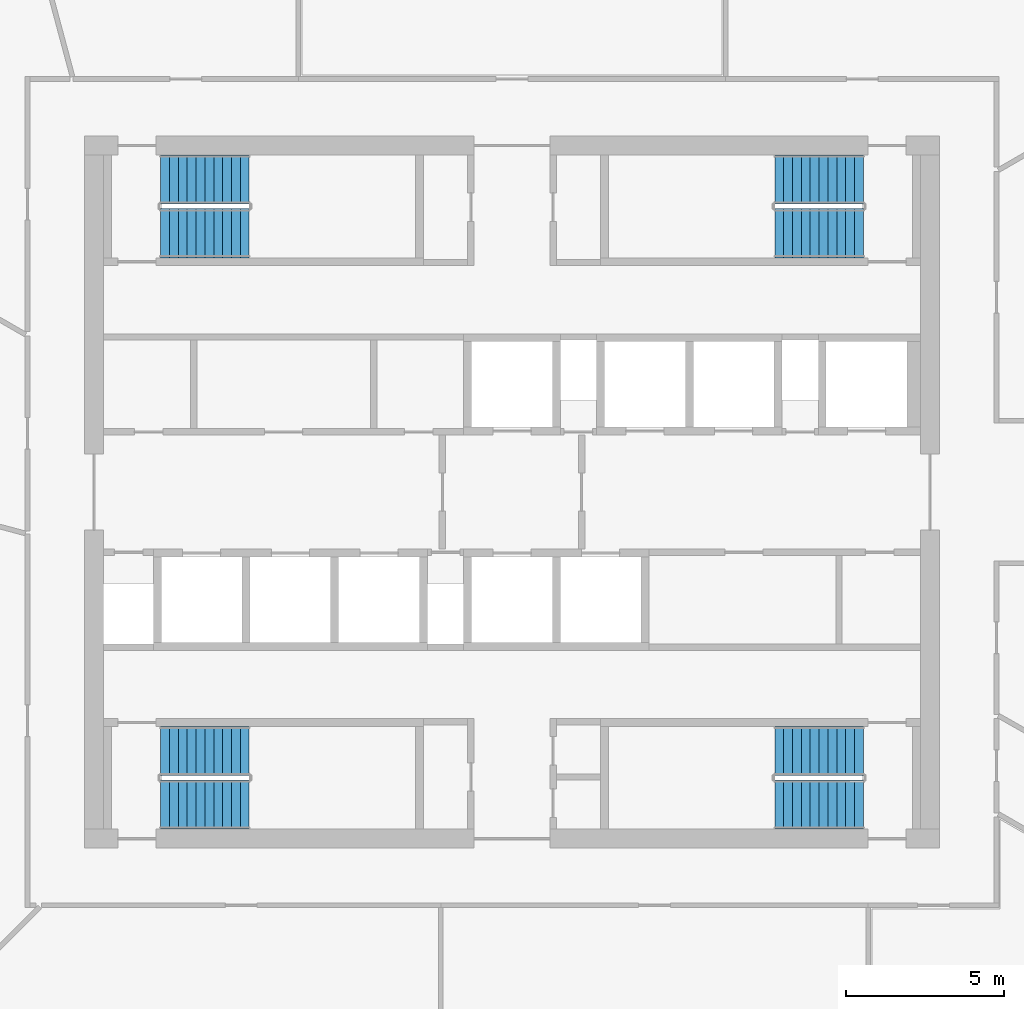
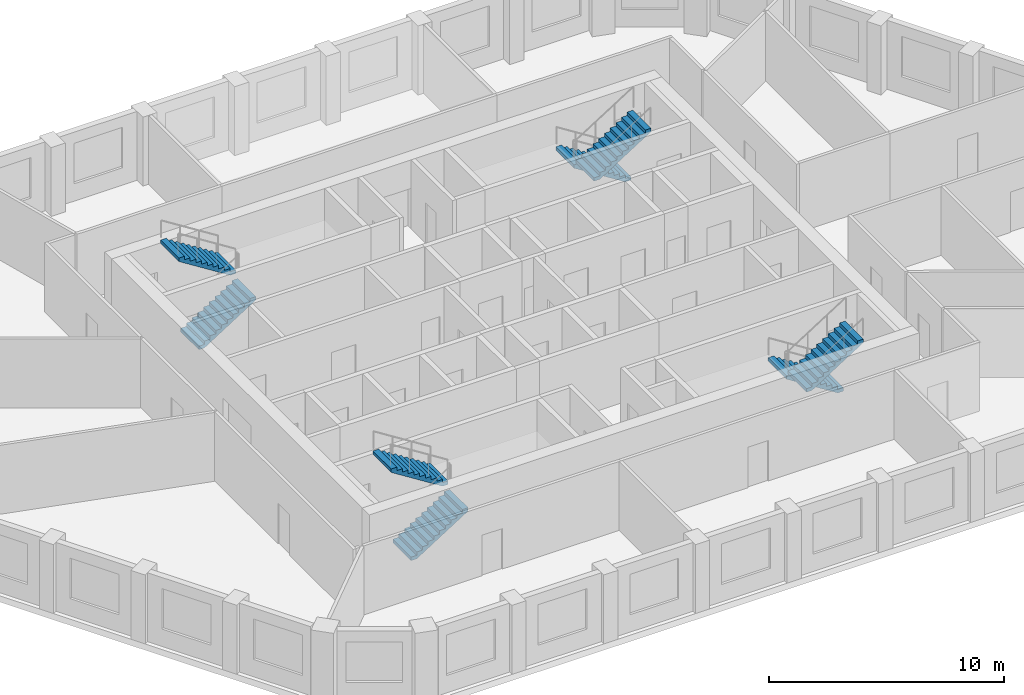
# One storey, part 7 of 10: 8 stair flights, 4 elements without a shape of their own.
"""IFC4 building model written with IfcOpenShell, lengths in metres."""

from ifc_helpers import new_model, si_unit, direction, frame, origin, place, context, subcontext, project, spatial, polyline, outline, extrude, material, type_object, element, aggregate, save


model = new_model("IFC4")

# Units and contexts
model_context = context("Model", 3, precision=1e-05, world=origin(), true_north=direction((0.0, 1.0)))
body_context = subcontext(model_context, "Body", "Model", "MODEL_VIEW")
ifc_project = project(units=[si_unit("LENGTHUNIT", "METRE"), si_unit("AREAUNIT", "SQUARE_METRE"), si_unit("VOLUMEUNIT", "CUBIC_METRE"), si_unit("PLANEANGLEUNIT", "RADIAN"), si_unit("MASSUNIT", "GRAM", prefix="KILO")], contexts=[model_context])

# Site, building, storey
site_placement = place(None, origin())
site = spatial("IfcSite", under=ifc_project, at=site_placement, CompositionType="ELEMENT")
building_placement = place(site_placement, origin())
building = spatial("IfcBuilding", under=site, at=building_placement, Name="Dhurran Vertical Campus", CompositionType="ELEMENT")
storey_placement = place(building_placement, frame((0.0, 0.0, 246.89990234375)))
storey = spatial("IfcBuildingStorey", under=building, at=storey_placement, Name="L61", CompositionType="ELEMENT", Elevation=246.89990234375)

# Stair, stair flights
ifc_material_1 = material(Name="Concrete C40/50", Category="concrete")
stair_type = type_object("IfcStairType", Name="co-ST-CORE", PredefinedType="HALF_TURN_STAIR", material=ifc_material_1)
stair_1_placement = place(storey_placement, origin())
stair_1 = element("IfcStair", 1, at=stair_1_placement, inside=storey, type_object=stair_type, Name="L61 Protected exit stair ST1", PredefinedType="HALF_TURN_STAIR")
ifc_material_2 = material(Name="Concrete C40/50", Category="concrete")
stair_flight_type = type_object("IfcStairFlightType", Name="co-SFL-RC", PredefinedType="STRAIGHT", material=ifc_material_2)
stair_flight_1_placement = place(storey_placement, frame((-11.10009765625, 8.175048828125, 0.0), z_axis=(0.0, 0.0, 1.0), x_axis=(1.0, 0.0, 0.0)))
stair_flight_1 = element("IfcStairFlight", 2, at=stair_flight_1_placement, type_object=stair_flight_type, Name="ST1 flight 1", NumberOfRisers=11, NumberOfTreads=10, PredefinedType="STRAIGHT", RiserHeight=0.177272727, TreadLength=0.28, context=body_context, shape_type="SweptSolid", body=[
    extrude(outline(polyline([(0.0, 0.0), (0.0, 0.17724609375), (0.280029296875, 0.17724609375), (0.280029296875, 0.3544921875), (0.56005859375, 0.3544921875), (0.56005859375, 0.53173828125), (0.840087890625, 0.53173828125), (0.840087890625, 0.708984375), (1.1201171875, 0.708984375), (1.1201171875, 0.886474609375), (1.39990234375, 0.886474609375), (1.39990234375, 1.063720703125), (1.679931640625, 1.063720703125), (1.679931640625, 1.240966796875), (1.9599609375, 1.240966796875), (1.9599609375, 1.418212890625), (2.239990234375, 1.418212890625), (2.239990234375, 1.595458984375), (2.52001953125, 1.595458984375), (2.52001953125, 1.772705078125), (2.800048828125, 1.772705078125), (2.800048828125, 1.949951171875), (2.800048828125, 1.59521484375), (0.2802734375, 0.0), (0.0, 0.0)])), frame((0.0, 0.77490234375, 0.0), z_axis=(0.0, -1.0, 0.0), x_axis=(1.0, 0.0, 0.0)), (0.0, 0.0, 1.0), 1.550048828125),
])
stair_flight_2_placement = place(storey_placement, frame((-8.300048828125, 9.875, 1.9501953125), z_axis=(0.0, 0.0, 1.0), x_axis=(-1.0, 0.0, 0.0)))
stair_flight_2 = element("IfcStairFlight", 3, at=stair_flight_2_placement, type_object=stair_flight_type, Name="ST1 flight 2", NumberOfRisers=11, NumberOfTreads=10, PredefinedType="STRAIGHT", RiserHeight=0.177272727, TreadLength=0.28, context=body_context, shape_type="SweptSolid", body=[
    extrude(outline(polyline([(0.0, 0.0), (0.0, 0.17724609375), (0.280029296875, 0.17724609375), (0.280029296875, 0.3544921875), (0.56005859375, 0.3544921875), (0.56005859375, 0.53173828125), (0.840087890625, 0.53173828125), (0.840087890625, 0.708984375), (1.1201171875, 0.708984375), (1.1201171875, 0.886474609375), (1.39990234375, 0.886474609375), (1.39990234375, 1.063720703125), (1.679931640625, 1.063720703125), (1.679931640625, 1.240966796875), (1.9599609375, 1.240966796875), (1.9599609375, 1.418212890625), (2.239990234375, 1.418212890625), (2.239990234375, 1.595458984375), (2.52001953125, 1.595458984375), (2.52001953125, 1.772705078125), (2.800048828125, 1.772705078125), (2.800048828125, 1.949951171875), (2.800048828125, 1.59521484375), (0.2802734375, 0.0), (0.0, 0.0)])), frame((0.0, 0.77490234375, 0.0), z_axis=(0.0, -1.0, 0.0), x_axis=(1.0, 0.0, 0.0)), (0.0, 0.0, 1.0), 1.550048828125),
])
aggregate(stair_1, [stair_flight_1, stair_flight_2])

stair_2_placement = place(storey_placement, origin())
stair_2 = element("IfcStair", 4, at=stair_2_placement, inside=storey, type_object=stair_type, Name="L61 Protected exit stair ST2", PredefinedType="HALF_TURN_STAIR")
stair_flight_3_placement = place(storey_placement, frame((11.10009765625, 9.875, 0.0), z_axis=(0.0, 0.0, 1.0), x_axis=(-1.0, 0.0, 0.0)))
stair_flight_3 = element("IfcStairFlight", 5, at=stair_flight_3_placement, type_object=stair_flight_type, Name="ST2 flight 1", NumberOfRisers=11, NumberOfTreads=10, PredefinedType="STRAIGHT", RiserHeight=0.177272727, TreadLength=0.28, context=body_context, shape_type="SweptSolid", body=[
    extrude(outline(polyline([(0.0, 0.0), (0.0, 0.17724609375), (0.280029296875, 0.17724609375), (0.280029296875, 0.3544921875), (0.56005859375, 0.3544921875), (0.56005859375, 0.53173828125), (0.840087890625, 0.53173828125), (0.840087890625, 0.708984375), (1.1201171875, 0.708984375), (1.1201171875, 0.886474609375), (1.39990234375, 0.886474609375), (1.39990234375, 1.063720703125), (1.679931640625, 1.063720703125), (1.679931640625, 1.240966796875), (1.9599609375, 1.240966796875), (1.9599609375, 1.418212890625), (2.239990234375, 1.418212890625), (2.239990234375, 1.595458984375), (2.52001953125, 1.595458984375), (2.52001953125, 1.772705078125), (2.800048828125, 1.772705078125), (2.800048828125, 1.949951171875), (2.800048828125, 1.59521484375), (0.2802734375, 0.0), (0.0, 0.0)])), frame((0.0, 0.77490234375, 0.0), z_axis=(0.0, -1.0, 0.0), x_axis=(1.0, 0.0, 0.0)), (0.0, 0.0, 1.0), 1.550048828125),
])
stair_flight_4_placement = place(storey_placement, frame((8.300048828125, 8.175048828125, 1.9501953125), z_axis=(0.0, 0.0, 1.0), x_axis=(1.0, 0.0, 0.0)))
stair_flight_4 = element("IfcStairFlight", 6, at=stair_flight_4_placement, type_object=stair_flight_type, Name="ST2 flight 2", NumberOfRisers=11, NumberOfTreads=10, PredefinedType="STRAIGHT", RiserHeight=0.177272727, TreadLength=0.28, context=body_context, shape_type="SweptSolid", body=[
    extrude(outline(polyline([(0.0, 0.0), (0.0, 0.17724609375), (0.280029296875, 0.17724609375), (0.280029296875, 0.3544921875), (0.56005859375, 0.3544921875), (0.56005859375, 0.53173828125), (0.840087890625, 0.53173828125), (0.840087890625, 0.708984375), (1.1201171875, 0.708984375), (1.1201171875, 0.886474609375), (1.39990234375, 0.886474609375), (1.39990234375, 1.063720703125), (1.679931640625, 1.063720703125), (1.679931640625, 1.240966796875), (1.9599609375, 1.240966796875), (1.9599609375, 1.418212890625), (2.239990234375, 1.418212890625), (2.239990234375, 1.595458984375), (2.52001953125, 1.595458984375), (2.52001953125, 1.772705078125), (2.800048828125, 1.772705078125), (2.800048828125, 1.949951171875), (2.800048828125, 1.59521484375), (0.2802734375, 0.0), (0.0, 0.0)])), frame((0.0, 0.77490234375, 0.0), z_axis=(0.0, -1.0, 0.0), x_axis=(1.0, 0.0, 0.0)), (0.0, 0.0, 1.0), 1.550048828125),
])
aggregate(stair_2, [stair_flight_3, stair_flight_4])

stair_3_placement = place(storey_placement, origin())
stair_3 = element("IfcStair", 7, at=stair_3_placement, inside=storey, type_object=stair_type, Name="L61 Protected exit stair ST3", PredefinedType="HALF_TURN_STAIR")
stair_flight_5_placement = place(storey_placement, frame((-11.10009765625, -9.875, 0.0), z_axis=(0.0, 0.0, 1.0), x_axis=(1.0, 0.0, 0.0)))
stair_flight_5 = element("IfcStairFlight", 8, at=stair_flight_5_placement, type_object=stair_flight_type, Name="ST3 flight 1", NumberOfRisers=11, NumberOfTreads=10, PredefinedType="STRAIGHT", RiserHeight=0.177272727, TreadLength=0.28, context=body_context, shape_type="SweptSolid", body=[
    extrude(outline(polyline([(0.0, 0.0), (0.0, 0.17724609375), (0.280029296875, 0.17724609375), (0.280029296875, 0.3544921875), (0.56005859375, 0.3544921875), (0.56005859375, 0.53173828125), (0.840087890625, 0.53173828125), (0.840087890625, 0.708984375), (1.1201171875, 0.708984375), (1.1201171875, 0.886474609375), (1.39990234375, 0.886474609375), (1.39990234375, 1.063720703125), (1.679931640625, 1.063720703125), (1.679931640625, 1.240966796875), (1.9599609375, 1.240966796875), (1.9599609375, 1.418212890625), (2.239990234375, 1.418212890625), (2.239990234375, 1.595458984375), (2.52001953125, 1.595458984375), (2.52001953125, 1.772705078125), (2.800048828125, 1.772705078125), (2.800048828125, 1.949951171875), (2.800048828125, 1.59521484375), (0.2802734375, 0.0), (0.0, 0.0)])), frame((0.0, 0.77490234375, 0.0), z_axis=(0.0, -1.0, 0.0), x_axis=(1.0, 0.0, 0.0)), (0.0, 0.0, 1.0), 1.550048828125),
])
stair_flight_6_placement = place(storey_placement, frame((-8.300048828125, -8.175048828125, 1.9501953125), z_axis=(0.0, 0.0, 1.0), x_axis=(-1.0, 0.0, 0.0)))
stair_flight_6 = element("IfcStairFlight", 9, at=stair_flight_6_placement, type_object=stair_flight_type, Name="ST3 flight 2", NumberOfRisers=11, NumberOfTreads=10, PredefinedType="STRAIGHT", RiserHeight=0.177272727, TreadLength=0.28, context=body_context, shape_type="SweptSolid", body=[
    extrude(outline(polyline([(0.0, 0.0), (0.0, 0.17724609375), (0.280029296875, 0.17724609375), (0.280029296875, 0.3544921875), (0.56005859375, 0.3544921875), (0.56005859375, 0.53173828125), (0.840087890625, 0.53173828125), (0.840087890625, 0.708984375), (1.1201171875, 0.708984375), (1.1201171875, 0.886474609375), (1.39990234375, 0.886474609375), (1.39990234375, 1.063720703125), (1.679931640625, 1.063720703125), (1.679931640625, 1.240966796875), (1.9599609375, 1.240966796875), (1.9599609375, 1.418212890625), (2.239990234375, 1.418212890625), (2.239990234375, 1.595458984375), (2.52001953125, 1.595458984375), (2.52001953125, 1.772705078125), (2.800048828125, 1.772705078125), (2.800048828125, 1.949951171875), (2.800048828125, 1.59521484375), (0.2802734375, 0.0), (0.0, 0.0)])), frame((0.0, 0.77490234375, 0.0), z_axis=(0.0, -1.0, 0.0), x_axis=(1.0, 0.0, 0.0)), (0.0, 0.0, 1.0), 1.550048828125),
])
aggregate(stair_3, [stair_flight_5, stair_flight_6])

stair_4_placement = place(storey_placement, origin())
stair_4 = element("IfcStair", 10, at=stair_4_placement, inside=storey, type_object=stair_type, Name="L61 Protected exit stair ST4", PredefinedType="HALF_TURN_STAIR")
stair_flight_7_placement = place(storey_placement, frame((11.10009765625, -8.175048828125, 0.0), z_axis=(0.0, 0.0, 1.0), x_axis=(-1.0, 0.0, 0.0)))
stair_flight_7 = element("IfcStairFlight", 11, at=stair_flight_7_placement, type_object=stair_flight_type, Name="ST4 flight 1", NumberOfRisers=11, NumberOfTreads=10, PredefinedType="STRAIGHT", RiserHeight=0.177272727, TreadLength=0.28, context=body_context, shape_type="SweptSolid", body=[
    extrude(outline(polyline([(0.0, 0.0), (0.0, 0.17724609375), (0.280029296875, 0.17724609375), (0.280029296875, 0.3544921875), (0.56005859375, 0.3544921875), (0.56005859375, 0.53173828125), (0.840087890625, 0.53173828125), (0.840087890625, 0.708984375), (1.1201171875, 0.708984375), (1.1201171875, 0.886474609375), (1.39990234375, 0.886474609375), (1.39990234375, 1.063720703125), (1.679931640625, 1.063720703125), (1.679931640625, 1.240966796875), (1.9599609375, 1.240966796875), (1.9599609375, 1.418212890625), (2.239990234375, 1.418212890625), (2.239990234375, 1.595458984375), (2.52001953125, 1.595458984375), (2.52001953125, 1.772705078125), (2.800048828125, 1.772705078125), (2.800048828125, 1.949951171875), (2.800048828125, 1.59521484375), (0.2802734375, 0.0), (0.0, 0.0)])), frame((0.0, 0.77490234375, 0.0), z_axis=(0.0, -1.0, 0.0), x_axis=(1.0, 0.0, 0.0)), (0.0, 0.0, 1.0), 1.550048828125),
])
stair_flight_8_placement = place(storey_placement, frame((8.300048828125, -9.875, 1.9501953125), z_axis=(0.0, 0.0, 1.0), x_axis=(1.0, 0.0, 0.0)))
stair_flight_8 = element("IfcStairFlight", 12, at=stair_flight_8_placement, type_object=stair_flight_type, Name="ST4 flight 2", NumberOfRisers=11, NumberOfTreads=10, PredefinedType="STRAIGHT", RiserHeight=0.177272727, TreadLength=0.28, context=body_context, shape_type="SweptSolid", body=[
    extrude(outline(polyline([(0.0, 0.0), (0.0, 0.17724609375), (0.280029296875, 0.17724609375), (0.280029296875, 0.3544921875), (0.56005859375, 0.3544921875), (0.56005859375, 0.53173828125), (0.840087890625, 0.53173828125), (0.840087890625, 0.708984375), (1.1201171875, 0.708984375), (1.1201171875, 0.886474609375), (1.39990234375, 0.886474609375), (1.39990234375, 1.063720703125), (1.679931640625, 1.063720703125), (1.679931640625, 1.240966796875), (1.9599609375, 1.240966796875), (1.9599609375, 1.418212890625), (2.239990234375, 1.418212890625), (2.239990234375, 1.595458984375), (2.52001953125, 1.595458984375), (2.52001953125, 1.772705078125), (2.800048828125, 1.772705078125), (2.800048828125, 1.949951171875), (2.800048828125, 1.59521484375), (0.2802734375, 0.0), (0.0, 0.0)])), frame((0.0, 0.77490234375, 0.0), z_axis=(0.0, -1.0, 0.0), x_axis=(1.0, 0.0, 0.0)), (0.0, 0.0, 1.0), 1.550048828125),
])
aggregate(stair_4, [stair_flight_7, stair_flight_8])

save(model, "model.ifc")
